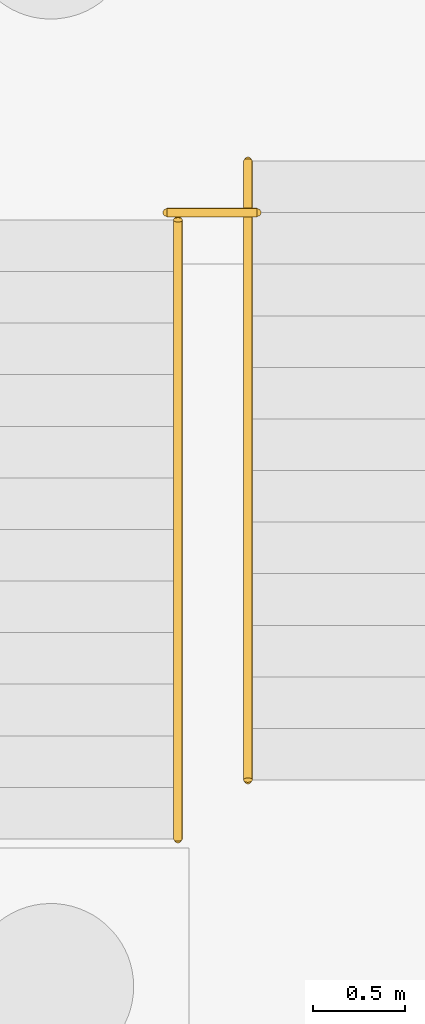
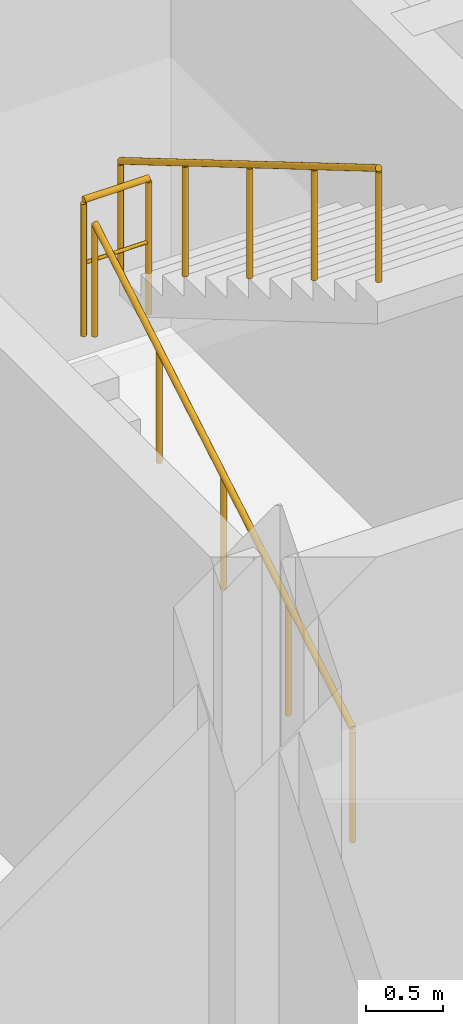
# One storey, part 42 of 48: 3 railings.
"""IFC4 building model written with IfcOpenShell, lengths in metres."""

from ifc_helpers import new_model, si_unit, derived_unit, direction, frame, origin, origin_2d, place, context, subcontext, project, spatial, circle, extrude, material, type_object, element, save


model = new_model("IFC4")

# Units and contexts
model_context = context("Model", 3, precision=1e-05, world=origin(), true_north=direction((0.0, 1.0)))
body_context = subcontext(model_context, "Body", "Model", "MODEL_VIEW")
ifc_project = project(units=[si_unit("LENGTHUNIT", "METRE"), si_unit("AREAUNIT", "SQUARE_METRE"), si_unit("VOLUMEUNIT", "CUBIC_METRE"), si_unit("PLANEANGLEUNIT", "RADIAN"), si_unit("MASSUNIT", "GRAM", prefix="KILO"), derived_unit("THERMALTRANSMITTANCEUNIT", [(si_unit("MASSUNIT", "GRAM", prefix="KILO"), 1), (si_unit("TIMEUNIT", "SECOND"), -3), (si_unit("THERMODYNAMICTEMPERATUREUNIT", "KELVIN"), -1)])], contexts=[model_context])

# Site, building, storey
site_placement = place(None, origin())
site = spatial("IfcSite", under=ifc_project, at=site_placement, CompositionType="ELEMENT")
building_placement = place(site_placement, origin())
building = spatial("IfcBuilding", under=site, at=building_placement, Name="Veyamyaing Civic Hall", CompositionType="ELEMENT")
storey_placement = place(building_placement, frame((0.0, 0.0, -4.2900390625)))
storey = spatial("IfcBuildingStorey", under=building, at=storey_placement, Name="B1", CompositionType="ELEMENT", Elevation=-4.2900390625)

# Railings
ifc_material = material(Name="Steel S355J2", Category="steel")
railing_type_1 = type_object("IfcRailingType", Name="RL-01", PredefinedType="BALUSTRADE", material=ifc_material)
railing_1_placement = place(storey_placement, frame((9.780029296875, 93.35009765625, 2.14501953125)))
element("IfcRailing", 1, at=railing_1_placement, inside=storey, type_object=railing_type_1, Name="Half-landing slot guard RL-01 ST-01 B1", PredefinedType="BALUSTRADE", context=body_context, shape_type="SweptSolid", body=[
    extrude(circle(Radius=0.02392578125, at=origin_2d()), frame((0.0, 0.0, 1.076171875), z_axis=(1.0, 0.0, 0.0), x_axis=(0.0, 1.0, 0.0)), (0.0, 0.0, 1.0), 0.489990234375),
    extrude(circle(Radius=0.01416015625, at=origin_2d()), frame((0.0, 0.0, 0.572021484375), z_axis=(1.0, 0.0, 0.0), x_axis=(0.0, 1.0, 0.0)), (0.0, 0.0, 1.0), 0.489990234375),
    extrude(circle(Radius=0.02099609375, at=origin_2d()), origin(), (0.0, 0.0, 1.0), 1.052001953125),
    extrude(circle(Radius=0.02099609375, at=origin_2d()), frame((0.489990234375, 0.0, 0.0)), (0.0, 0.0, 1.0), 1.052001953125),
])
railing_type_2 = type_object("IfcRailingType", Name="RL-02", PredefinedType="HANDRAIL", material=ifc_material)
railing_2_placement = place(storey_placement, frame((9.840087890625, 89.949951171875, 0.1650390625)))
element("IfcRailing", 2, at=railing_2_placement, inside=storey, type_object=railing_type_2, Name="Stair pitch handrail RL-02 ST-01 B1.1", PredefinedType="HANDRAIL", context=body_context, shape_type="SweptSolid", body=[
    extrude(circle(Radius=0.02392578125, at=origin_2d()), frame((0.0, 0.0, 0.89599609375), z_axis=(0.0, 0.861547751209, 0.507676543073), x_axis=(-1.0, 0.0, 0.0)), (0.0, 0.0, 1.0), 3.900146484375),
    extrude(circle(Radius=0.02099609375, at=origin_2d()), origin(), (0.0, 0.0, 1.0), 0.871826171875),
    extrude(circle(Radius=0.02099609375, at=origin_2d()), frame((0.0, 0.840087890625, 0.4951171875)), (0.0, 0.0, 1.0), 0.871826171875),
    extrude(circle(Radius=0.02099609375, at=origin_2d()), frame((0.0, 1.68017578125, 0.989990234375)), (0.0, 0.0, 1.0), 0.871826171875),
    extrude(circle(Radius=0.02099609375, at=origin_2d()), frame((0.0, 2.52001953125, 1.48486328125)), (0.0, 0.0, 1.0), 0.871826171875),
    extrude(circle(Radius=0.02099609375, at=origin_2d()), frame((0.0, 3.360107421875, 1.97998046875)), (0.0, 0.0, 1.0), 0.871826171875),
])
railing_3_placement = place(storey_placement, frame((10.219970703125, 93.6298828125, 2.31005859375)))
element("IfcRailing", 3, at=railing_3_placement, inside=storey, type_object=railing_type_2, Name="Stair pitch handrail RL-02 ST-01 B1.2", PredefinedType="HANDRAIL", context=body_context, shape_type="SweptSolid", body=[
    extrude(circle(Radius=0.02392578125, at=origin_2d()), frame((0.0, 0.0, 0.89599609375), z_axis=(0.0, -0.861531615964, 0.507703924246), x_axis=(1.0, 0.0, 0.0)), (0.0, 0.0, 1.0), 3.89990234375),
    extrude(circle(Radius=0.02099609375, at=origin_2d()), origin(), (0.0, 0.0, 1.0), 0.871826171875),
    extrude(circle(Radius=0.02099609375, at=origin_2d()), frame((0.0, -0.83984375, 0.4951171875)), (0.0, 0.0, 1.0), 0.871826171875),
    extrude(circle(Radius=0.02099609375, at=origin_2d()), frame((0.0, -1.679931640625, 0.989990234375)), (0.0, 0.0, 1.0), 0.871826171875),
    extrude(circle(Radius=0.02099609375, at=origin_2d()), frame((0.0, -2.52001953125, 1.48486328125)), (0.0, 0.0, 1.0), 0.871826171875),
    extrude(circle(Radius=0.02099609375, at=origin_2d()), frame((0.0, -3.35986328125, 1.97998046875)), (0.0, 0.0, 1.0), 0.871826171875),
])

save(model, "model.ifc")
